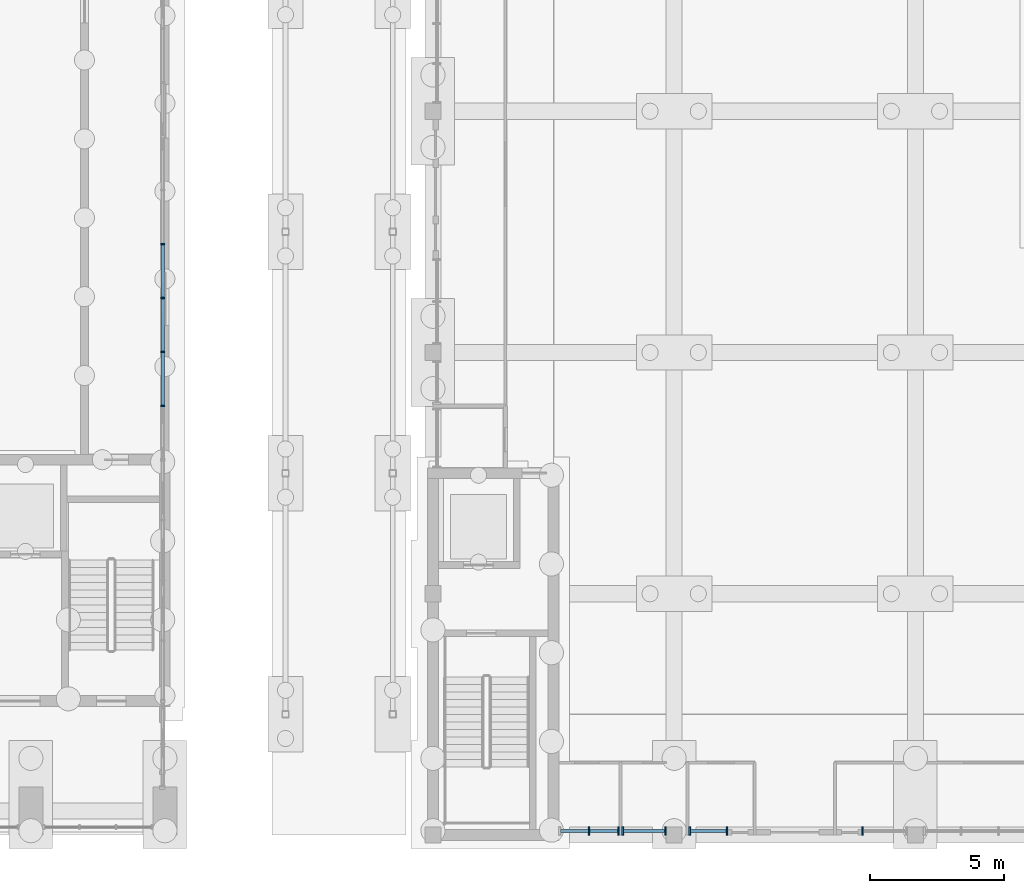
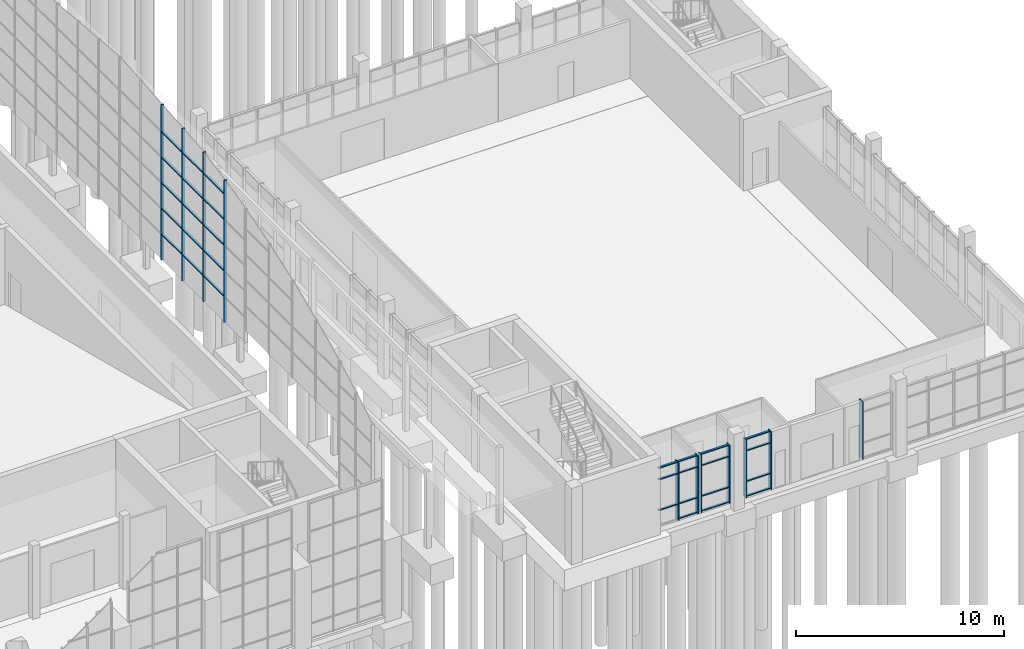
# One storey, part 29 of 106: 41 members, 5 elements without a shape of their own.
"""IFC4 building model written with IfcOpenShell, lengths in metres."""

from ifc_helpers import new_model, si_unit, direction, frame, origin, origin_2d, place, context, subcontext, project, spatial, rectangle, extrude, material, material_profile, profile_set, type_object, element, aggregate, save


model = new_model("IFC4")

# Units and contexts
model_context = context("Model", 3, precision=1e-05, world=origin(), true_north=direction((0.0, 1.0)))
body_context = subcontext(model_context, "Body", "Model", "MODEL_VIEW")
ifc_project = project(units=[si_unit("LENGTHUNIT", "METRE"), si_unit("AREAUNIT", "SQUARE_METRE"), si_unit("VOLUMEUNIT", "CUBIC_METRE"), si_unit("PLANEANGLEUNIT", "RADIAN"), si_unit("MASSUNIT", "GRAM", prefix="KILO")], contexts=[model_context])

# Site, building, storey
site_placement = place(None, origin())
site = spatial("IfcSite", under=ifc_project, at=site_placement, CompositionType="ELEMENT")
building_placement = place(site_placement, origin())
building = spatial("IfcBuilding", under=site, at=building_placement, Name="Merrow Basin Faculty of Sciences", CompositionType="ELEMENT")
storey_placement = place(building_placement, origin())
storey = spatial("IfcBuildingStorey", under=building, at=storey_placement, Name="L00", CompositionType="ELEMENT", Elevation=0.0)

# Curtain wall, members
ifc_material_1 = material(Name="Aluminium alloy 6063", Category="aluminium")
curtain_wall_type_1 = type_object("IfcCurtainWallType", Name="Arched curtain wall 160", PredefinedType="NOTDEFINED", material=ifc_material_1)
curtain_wall_1_placement = place(storey_placement, origin())
curtain_wall_1 = element("IfcCurtainWall", 1, at=curtain_wall_1_placement, inside=storey, type_object=curtain_wall_type_1, Name="East gable glazing C", PredefinedType="NOTDEFINED")
ifc_material_2 = material(Name="Aluminium alloy 6063", Category="aluminium")
ifc_material_profile_1 = material_profile(ifc_material_2, rectangle(XDim=0.159912109375, YDim=0.06005859375, at=origin_2d()))
ifc_profile_set_1 = profile_set([ifc_material_profile_1], Name="Aluminium alloy 6063")
member_type_1 = type_object("IfcMemberType", Name="Aluminium gable mullion 60x160", PredefinedType="MULLION", material=ifc_profile_set_1)
member_1_placement = place(storey_placement, frame((34.919921875, 16.010986328125, 7.5), z_axis=(0.0, 0.0, 1.0), x_axis=(1.0, 0.0, 0.0)))
member_1 = element("IfcMember", 2, at=member_1_placement, type_object=member_type_1, Name="CW4 mullion 2", PredefinedType="MULLION", context=body_context, shape_type="SweptSolid", body=[
    extrude(rectangle(XDim=0.159912109375, YDim=0.06005859375, at=origin_2d()), origin(), (0.0, 0.0, 1.0), 8.33203125),
])
member_2_placement = place(storey_placement, frame((34.919921875, 18.02197265625, 7.5), z_axis=(0.0, 0.0, 1.0), x_axis=(1.0, 0.0, 0.0)))
member_2 = element("IfcMember", 3, at=member_2_placement, type_object=member_type_1, Name="CW4 mullion 3", PredefinedType="MULLION", context=body_context, shape_type="SweptSolid", body=[
    extrude(rectangle(XDim=0.159912109375, YDim=0.06005859375, at=origin_2d()), origin(), (0.0, 0.0, 1.0), 8.7529296875),
])
member_3_placement = place(storey_placement, frame((34.919921875, 20.032958984375, 7.5), z_axis=(0.0, 0.0, 1.0), x_axis=(1.0, 0.0, 0.0)))
member_3 = element("IfcMember", 4, at=member_3_placement, type_object=member_type_1, Name="CW4 mullion 4", PredefinedType="MULLION", context=body_context, shape_type="SweptSolid", body=[
    extrude(rectangle(XDim=0.159912109375, YDim=0.06005859375, at=origin_2d()), origin(), (0.0, 0.0, 1.0), 8.927001953125),
])
member_4_placement = place(storey_placement, frame((34.919921875, 22.0439453125, 7.5), z_axis=(0.0, 0.0, 1.0), x_axis=(1.0, 0.0, 0.0)))
member_4 = element("IfcMember", 5, at=member_4_placement, type_object=member_type_1, Name="CW4 mullion 5", PredefinedType="MULLION", context=body_context, shape_type="SweptSolid", body=[
    extrude(rectangle(XDim=0.159912109375, YDim=0.06005859375, at=origin_2d()), origin(), (0.0, 0.0, 1.0), 9.10205078125),
])
ifc_material_3 = material(Name="Aluminium alloy 6063", Category="aluminium")
ifc_material_profile_2 = material_profile(ifc_material_3, rectangle(XDim=0.1201171875, YDim=0.06005859375, at=origin_2d()))
ifc_profile_set_2 = profile_set([ifc_material_profile_2], Name="Aluminium alloy 6063")
member_type_2 = type_object("IfcMemberType", Name="Aluminium gable transom 60x120", PredefinedType="USERDEFINED", material=ifc_profile_set_2)
member_5_placement = place(storey_placement, frame((34.919921875, 16.041015625, 9.0), z_axis=(0.0, 1.0, 0.0), x_axis=(-1.0, 0.0, 0.0)))
member_5 = element("IfcMember", 6, at=member_5_placement, type_object=member_type_2, Name="CW4 transom 2.1", ObjectType="TRANSOM", PredefinedType="USERDEFINED", context=body_context, shape_type="SweptSolid", body=[
    extrude(rectangle(XDim=0.1201171875, YDim=0.06005859375, at=origin_2d()), origin(), (0.0, 0.0, 1.0), 1.950927734375),
])
member_6_placement = place(storey_placement, frame((34.919921875, 16.041015625, 10.5), z_axis=(0.0, 1.0, 0.0), x_axis=(-1.0, 0.0, 0.0)))
member_6 = element("IfcMember", 7, at=member_6_placement, type_object=member_type_2, Name="CW4 transom 2.2", ObjectType="TRANSOM", PredefinedType="USERDEFINED", context=body_context, shape_type="SweptSolid", body=[
    extrude(rectangle(XDim=0.1201171875, YDim=0.06005859375, at=origin_2d()), origin(), (0.0, 0.0, 1.0), 1.950927734375),
])
member_7_placement = place(storey_placement, frame((34.919921875, 16.041015625, 12.0), z_axis=(0.0, 1.0, 0.0), x_axis=(-1.0, 0.0, 0.0)))
member_7 = element("IfcMember", 8, at=member_7_placement, type_object=member_type_2, Name="CW4 transom 2.3", ObjectType="TRANSOM", PredefinedType="USERDEFINED", context=body_context, shape_type="SweptSolid", body=[
    extrude(rectangle(XDim=0.1201171875, YDim=0.06005859375, at=origin_2d()), origin(), (0.0, 0.0, 1.0), 1.950927734375),
])
member_8_placement = place(storey_placement, frame((34.919921875, 16.041015625, 13.5), z_axis=(0.0, 1.0, 0.0), x_axis=(-1.0, 0.0, 0.0)))
member_8 = element("IfcMember", 9, at=member_8_placement, type_object=member_type_2, Name="CW4 transom 2.4", ObjectType="TRANSOM", PredefinedType="USERDEFINED", context=body_context, shape_type="SweptSolid", body=[
    extrude(rectangle(XDim=0.1201171875, YDim=0.06005859375, at=origin_2d()), origin(), (0.0, 0.0, 1.0), 1.950927734375),
])
member_9_placement = place(storey_placement, frame((34.919921875, 16.041015625, 15.0), z_axis=(0.0, 1.0, 0.0), x_axis=(-1.0, 0.0, 0.0)))
member_9 = element("IfcMember", 10, at=member_9_placement, type_object=member_type_2, Name="CW4 transom 2.5", ObjectType="TRANSOM", PredefinedType="USERDEFINED", context=body_context, shape_type="SweptSolid", body=[
    extrude(rectangle(XDim=0.1201171875, YDim=0.06005859375, at=origin_2d()), origin(), (0.0, 0.0, 1.0), 1.950927734375),
])
member_10_placement = place(storey_placement, frame((34.919921875, 18.052001953125, 9.0), z_axis=(0.0, 1.0, 0.0), x_axis=(-1.0, 0.0, 0.0)))
member_10 = element("IfcMember", 11, at=member_10_placement, type_object=member_type_2, Name="CW4 transom 3.1", ObjectType="TRANSOM", PredefinedType="USERDEFINED", context=body_context, shape_type="SweptSolid", body=[
    extrude(rectangle(XDim=0.1201171875, YDim=0.06005859375, at=origin_2d()), origin(), (0.0, 0.0, 1.0), 1.950927734375),
])
member_11_placement = place(storey_placement, frame((34.919921875, 18.052001953125, 10.5), z_axis=(0.0, 1.0, 0.0), x_axis=(-1.0, 0.0, 0.0)))
member_11 = element("IfcMember", 12, at=member_11_placement, type_object=member_type_2, Name="CW4 transom 3.2", ObjectType="TRANSOM", PredefinedType="USERDEFINED", context=body_context, shape_type="SweptSolid", body=[
    extrude(rectangle(XDim=0.1201171875, YDim=0.06005859375, at=origin_2d()), origin(), (0.0, 0.0, 1.0), 1.950927734375),
])
member_12_placement = place(storey_placement, frame((34.919921875, 18.052001953125, 12.0), z_axis=(0.0, 1.0, 0.0), x_axis=(-1.0, 0.0, 0.0)))
member_12 = element("IfcMember", 13, at=member_12_placement, type_object=member_type_2, Name="CW4 transom 3.3", ObjectType="TRANSOM", PredefinedType="USERDEFINED", context=body_context, shape_type="SweptSolid", body=[
    extrude(rectangle(XDim=0.1201171875, YDim=0.06005859375, at=origin_2d()), origin(), (0.0, 0.0, 1.0), 1.950927734375),
])
member_13_placement = place(storey_placement, frame((34.919921875, 18.052001953125, 13.5), z_axis=(0.0, 1.0, 0.0), x_axis=(-1.0, 0.0, 0.0)))
member_13 = element("IfcMember", 14, at=member_13_placement, type_object=member_type_2, Name="CW4 transom 3.4", ObjectType="TRANSOM", PredefinedType="USERDEFINED", context=body_context, shape_type="SweptSolid", body=[
    extrude(rectangle(XDim=0.1201171875, YDim=0.06005859375, at=origin_2d()), origin(), (0.0, 0.0, 1.0), 1.950927734375),
])
member_14_placement = place(storey_placement, frame((34.919921875, 18.052001953125, 15.0), z_axis=(0.0, 1.0, 0.0), x_axis=(-1.0, 0.0, 0.0)))
member_14 = element("IfcMember", 15, at=member_14_placement, type_object=member_type_2, Name="CW4 transom 3.5", ObjectType="TRANSOM", PredefinedType="USERDEFINED", context=body_context, shape_type="SweptSolid", body=[
    extrude(rectangle(XDim=0.1201171875, YDim=0.06005859375, at=origin_2d()), origin(), (0.0, 0.0, 1.0), 1.950927734375),
])
member_15_placement = place(storey_placement, frame((34.919921875, 20.06298828125, 9.0), z_axis=(0.0, 1.0, 0.0), x_axis=(-1.0, 0.0, 0.0)))
member_15 = element("IfcMember", 16, at=member_15_placement, type_object=member_type_2, Name="CW4 transom 4.1", ObjectType="TRANSOM", PredefinedType="USERDEFINED", context=body_context, shape_type="SweptSolid", body=[
    extrude(rectangle(XDim=0.1201171875, YDim=0.06005859375, at=origin_2d()), origin(), (0.0, 0.0, 1.0), 1.950927734375),
])
member_16_placement = place(storey_placement, frame((34.919921875, 20.06298828125, 10.5), z_axis=(0.0, 1.0, 0.0), x_axis=(-1.0, 0.0, 0.0)))
member_16 = element("IfcMember", 17, at=member_16_placement, type_object=member_type_2, Name="CW4 transom 4.2", ObjectType="TRANSOM", PredefinedType="USERDEFINED", context=body_context, shape_type="SweptSolid", body=[
    extrude(rectangle(XDim=0.1201171875, YDim=0.06005859375, at=origin_2d()), origin(), (0.0, 0.0, 1.0), 1.950927734375),
])
member_17_placement = place(storey_placement, frame((34.919921875, 20.06298828125, 12.0), z_axis=(0.0, 1.0, 0.0), x_axis=(-1.0, 0.0, 0.0)))
member_17 = element("IfcMember", 18, at=member_17_placement, type_object=member_type_2, Name="CW4 transom 4.3", ObjectType="TRANSOM", PredefinedType="USERDEFINED", context=body_context, shape_type="SweptSolid", body=[
    extrude(rectangle(XDim=0.1201171875, YDim=0.06005859375, at=origin_2d()), origin(), (0.0, 0.0, 1.0), 1.950927734375),
])
member_18_placement = place(storey_placement, frame((34.919921875, 20.06298828125, 13.5), z_axis=(0.0, 1.0, 0.0), x_axis=(-1.0, 0.0, 0.0)))
member_18 = element("IfcMember", 19, at=member_18_placement, type_object=member_type_2, Name="CW4 transom 4.4", ObjectType="TRANSOM", PredefinedType="USERDEFINED", context=body_context, shape_type="SweptSolid", body=[
    extrude(rectangle(XDim=0.1201171875, YDim=0.06005859375, at=origin_2d()), origin(), (0.0, 0.0, 1.0), 1.950927734375),
])
member_19_placement = place(storey_placement, frame((34.919921875, 20.06298828125, 15.0), z_axis=(0.0, 1.0, 0.0), x_axis=(-1.0, 0.0, 0.0)))
member_19 = element("IfcMember", 20, at=member_19_placement, type_object=member_type_2, Name="CW4 transom 4.5", ObjectType="TRANSOM", PredefinedType="USERDEFINED", context=body_context, shape_type="SweptSolid", body=[
    extrude(rectangle(XDim=0.1201171875, YDim=0.06005859375, at=origin_2d()), origin(), (0.0, 0.0, 1.0), 1.950927734375),
])
aggregate(curtain_wall_1, [member_1, member_2, member_3, member_4, member_5, member_6, member_7, member_8, member_9, member_10, member_11, member_12, member_13, member_14, member_15, member_16, member_17, member_18, member_19])

ifc_material_4 = material(Name="Aluminium alloy 6063", Category="aluminium")
curtain_wall_type_2 = type_object("IfcCurtainWallType", Name="Atrium concourse curtain wall 300", PredefinedType="NOTDEFINED", material=ifc_material_4)
curtain_wall_2_placement = place(storey_placement, origin())
curtain_wall_2 = element("IfcCurtainWall", 21, at=curtain_wall_2_placement, inside=storey, type_object=curtain_wall_type_2, Name="S curtain wall L00 1", PredefinedType="NOTDEFINED")
ifc_material_5 = material(Name="Aluminium alloy 6063", Category="aluminium")
ifc_material_profile_3 = material_profile(ifc_material_5, rectangle(XDim=0.300048828125, YDim=0.06005859375, at=origin_2d()))
ifc_profile_set_3 = profile_set([ifc_material_profile_3], Name="Aluminium alloy 6063")
member_type_3 = type_object("IfcMemberType", Name="Aluminium mullion 60x300", PredefinedType="MULLION", material=ifc_profile_set_3)
member_20_placement = place(storey_placement, frame((50.824951171875, 0.14990234375, 0.0), z_axis=(0.0, 0.0, 1.0), x_axis=(0.0, 1.0, 0.0)))
member_20 = element("IfcMember", 22, at=member_20_placement, type_object=member_type_3, Name="CW6 mullion 2", PredefinedType="MULLION", context=body_context, shape_type="SweptSolid", body=[
    extrude(rectangle(XDim=0.300048828125, YDim=0.06005859375, at=origin_2d()), origin(), (0.0, 0.0, 1.0), 3.39990234375),
])
member_21_placement = place(storey_placement, frame((51.919921875, 0.14990234375, 0.0), z_axis=(0.0, 0.0, 1.0), x_axis=(0.0, 1.0, 0.0)))
member_21 = element("IfcMember", 23, at=member_21_placement, type_object=member_type_3, Name="CW6 mullion 3", PredefinedType="MULLION", context=body_context, shape_type="SweptSolid", body=[
    extrude(rectangle(XDim=0.300048828125, YDim=0.06005859375, at=origin_2d()), origin(), (0.0, 0.0, 1.0), 3.39990234375),
])

curtain_wall_3_placement = place(storey_placement, origin())
curtain_wall_3 = element("IfcCurtainWall", 24, at=curtain_wall_3_placement, inside=storey, type_object=curtain_wall_type_2, Name="S curtain wall L00 2", PredefinedType="NOTDEFINED")
member_22_placement = place(storey_placement, frame((52.080078125, 0.14990234375, 0.0), z_axis=(0.0, 0.0, 1.0), x_axis=(0.0, 1.0, 0.0)))
member_22 = element("IfcMember", 25, at=member_22_placement, type_object=member_type_3, Name="CW6 mullion 1", PredefinedType="MULLION", context=body_context, shape_type="SweptSolid", body=[
    extrude(rectangle(XDim=0.300048828125, YDim=0.06005859375, at=origin_2d()), origin(), (0.0, 0.0, 1.0), 3.39990234375),
])
member_23_placement = place(storey_placement, frame((53.669921875, 0.14990234375, 0.0), z_axis=(0.0, 0.0, 1.0), x_axis=(0.0, 1.0, 0.0)))
member_23 = element("IfcMember", 26, at=member_23_placement, type_object=member_type_3, Name="CW6 mullion 2", PredefinedType="MULLION", context=body_context, shape_type="SweptSolid", body=[
    extrude(rectangle(XDim=0.300048828125, YDim=0.06005859375, at=origin_2d()), origin(), (0.0, 0.0, 1.0), 3.39990234375),
])

curtain_wall_4_placement = place(storey_placement, origin())
curtain_wall_4 = element("IfcCurtainWall", 27, at=curtain_wall_4_placement, inside=storey, type_object=curtain_wall_type_2, Name="S curtain wall L00 3", PredefinedType="NOTDEFINED")
member_24_placement = place(storey_placement, frame((54.580078125, 0.14990234375, 0.0), z_axis=(0.0, 0.0, 1.0), x_axis=(0.0, 1.0, 0.0)))
member_24 = element("IfcMember", 28, at=member_24_placement, type_object=member_type_3, Name="CW6 mullion 1", PredefinedType="MULLION", context=body_context, shape_type="SweptSolid", body=[
    extrude(rectangle(XDim=0.300048828125, YDim=0.06005859375, at=origin_2d()), origin(), (0.0, 0.0, 1.0), 3.39990234375),
])
member_25_placement = place(storey_placement, frame((55.969970703125, 0.14990234375, 0.0), z_axis=(0.0, 0.0, 1.0), x_axis=(0.0, 1.0, 0.0)))
member_25 = element("IfcMember", 29, at=member_25_placement, type_object=member_type_3, Name="CW6 mullion 2", PredefinedType="MULLION", context=body_context, shape_type="SweptSolid", body=[
    extrude(rectangle(XDim=0.300048828125, YDim=0.06005859375, at=origin_2d()), origin(), (0.0, 0.0, 1.0), 3.39990234375),
])

# Curtain wall, member
curtain_wall_5_placement = place(storey_placement, origin())
curtain_wall_5 = element("IfcCurtainWall", 30, at=curtain_wall_5_placement, inside=storey, type_object=curtain_wall_type_2, Name="S curtain wall L00 4", PredefinedType="NOTDEFINED")
member_26_placement = place(storey_placement, frame((61.030029296875, 0.14990234375, 0.0), z_axis=(0.0, 0.0, 1.0), x_axis=(0.0, 1.0, 0.0)))
member_26 = element("IfcMember", 31, at=member_26_placement, type_object=member_type_3, Name="CW6 mullion 1", PredefinedType="MULLION", context=body_context, shape_type="SweptSolid", body=[
    extrude(rectangle(XDim=0.300048828125, YDim=0.06005859375, at=origin_2d()), origin(), (0.0, 0.0, 1.0), 3.39990234375),
])
aggregate(curtain_wall_5, [member_26])

# Member
ifc_material_6 = material(Name="Aluminium alloy 6063", Category="aluminium")
ifc_material_profile_4 = material_profile(ifc_material_6, rectangle(XDim=0.1201171875, YDim=0.06005859375, at=origin_2d()))
ifc_profile_set_4 = profile_set([ifc_material_profile_4], Name="Aluminium alloy 6063")
member_type_4 = type_object("IfcMemberType", Name="Aluminium transom 60x120", PredefinedType="USERDEFINED", material=ifc_profile_set_4)
member_27_placement = place(storey_placement, frame((49.760009765625, 0.14990234375, 0.89990234375), z_axis=(1.0, 0.0, 0.0), x_axis=(0.0, 1.0, 0.0)))
member_27 = element("IfcMember", 32, at=member_27_placement, type_object=member_type_4, Name="CW6 transom 1.2", ObjectType="TRANSOM", PredefinedType="USERDEFINED", context=body_context, shape_type="SweptSolid", body=[
    extrude(rectangle(XDim=0.1201171875, YDim=0.06005859375, at=origin_2d()), origin(), (0.0, 0.0, 1.0), 1.034912109375),
])

member_28_placement = place(storey_placement, frame((49.760009765625, 0.14990234375, 2.699951171875), z_axis=(1.0, 0.0, 0.0), x_axis=(0.0, 1.0, 0.0)))
member_28 = element("IfcMember", 33, at=member_28_placement, type_object=member_type_4, Name="CW6 transom 1.3", ObjectType="TRANSOM", PredefinedType="USERDEFINED", context=body_context, shape_type="SweptSolid", body=[
    extrude(rectangle(XDim=0.1201171875, YDim=0.06005859375, at=origin_2d()), origin(), (0.0, 0.0, 1.0), 1.034912109375),
])

member_29_placement = place(storey_placement, frame((49.760009765625, 0.14990234375, 3.3701171875), z_axis=(1.0, 0.0, 0.0), x_axis=(0.0, 1.0, 0.0)))
member_29 = element("IfcMember", 34, at=member_29_placement, type_object=member_type_4, Name="CW6 transom 1.4", ObjectType="TRANSOM", PredefinedType="USERDEFINED", context=body_context, shape_type="SweptSolid", body=[
    extrude(rectangle(XDim=0.1201171875, YDim=0.06005859375, at=origin_2d()), origin(), (0.0, 0.0, 1.0), 1.034912109375),
])

member_30_placement = place(storey_placement, frame((50.85498046875, 0.14990234375, 0.030029296875), z_axis=(1.0, 0.0, 0.0), x_axis=(0.0, 1.0, 0.0)))
member_30 = element("IfcMember", 35, at=member_30_placement, type_object=member_type_4, Name="CW6 transom 2.1", ObjectType="TRANSOM", PredefinedType="USERDEFINED", context=body_context, shape_type="SweptSolid", body=[
    extrude(rectangle(XDim=0.1201171875, YDim=0.06005859375, at=origin_2d()), origin(), (0.0, 0.0, 1.0), 1.034912109375),
])

member_31_placement = place(storey_placement, frame((50.85498046875, 0.14990234375, 0.89990234375), z_axis=(1.0, 0.0, 0.0), x_axis=(0.0, 1.0, 0.0)))
member_31 = element("IfcMember", 36, at=member_31_placement, type_object=member_type_4, Name="CW6 transom 2.2", ObjectType="TRANSOM", PredefinedType="USERDEFINED", context=body_context, shape_type="SweptSolid", body=[
    extrude(rectangle(XDim=0.1201171875, YDim=0.06005859375, at=origin_2d()), origin(), (0.0, 0.0, 1.0), 1.034912109375),
])

member_32_placement = place(storey_placement, frame((50.85498046875, 0.14990234375, 2.699951171875), z_axis=(1.0, 0.0, 0.0), x_axis=(0.0, 1.0, 0.0)))
member_32 = element("IfcMember", 37, at=member_32_placement, type_object=member_type_4, Name="CW6 transom 2.3", ObjectType="TRANSOM", PredefinedType="USERDEFINED", context=body_context, shape_type="SweptSolid", body=[
    extrude(rectangle(XDim=0.1201171875, YDim=0.06005859375, at=origin_2d()), origin(), (0.0, 0.0, 1.0), 1.034912109375),
])

member_33_placement = place(storey_placement, frame((50.85498046875, 0.14990234375, 3.3701171875), z_axis=(1.0, 0.0, 0.0), x_axis=(0.0, 1.0, 0.0)))
member_33 = element("IfcMember", 38, at=member_33_placement, type_object=member_type_4, Name="CW6 transom 2.4", ObjectType="TRANSOM", PredefinedType="USERDEFINED", context=body_context, shape_type="SweptSolid", body=[
    extrude(rectangle(XDim=0.1201171875, YDim=0.06005859375, at=origin_2d()), origin(), (0.0, 0.0, 1.0), 1.034912109375),
])

aggregate(curtain_wall_2, [member_20, member_21, member_27, member_28, member_29, member_30, member_31, member_32, member_33])

member_34_placement = place(storey_placement, frame((52.110107421875, 0.14990234375, 0.030029296875), z_axis=(1.0, 0.0, 0.0), x_axis=(0.0, 1.0, 0.0)))
member_34 = element("IfcMember", 39, at=member_34_placement, type_object=member_type_4, Name="CW6 transom 1.1", ObjectType="TRANSOM", PredefinedType="USERDEFINED", context=body_context, shape_type="SweptSolid", body=[
    extrude(rectangle(XDim=0.1201171875, YDim=0.06005859375, at=origin_2d()), origin(), (0.0, 0.0, 1.0), 1.52978515625),
])

member_35_placement = place(storey_placement, frame((52.110107421875, 0.14990234375, 0.89990234375), z_axis=(1.0, 0.0, 0.0), x_axis=(0.0, 1.0, 0.0)))
member_35 = element("IfcMember", 40, at=member_35_placement, type_object=member_type_4, Name="CW6 transom 1.2", ObjectType="TRANSOM", PredefinedType="USERDEFINED", context=body_context, shape_type="SweptSolid", body=[
    extrude(rectangle(XDim=0.1201171875, YDim=0.06005859375, at=origin_2d()), origin(), (0.0, 0.0, 1.0), 1.52978515625),
])

member_36_placement = place(storey_placement, frame((52.110107421875, 0.14990234375, 2.699951171875), z_axis=(1.0, 0.0, 0.0), x_axis=(0.0, 1.0, 0.0)))
member_36 = element("IfcMember", 41, at=member_36_placement, type_object=member_type_4, Name="CW6 transom 1.3", ObjectType="TRANSOM", PredefinedType="USERDEFINED", context=body_context, shape_type="SweptSolid", body=[
    extrude(rectangle(XDim=0.1201171875, YDim=0.06005859375, at=origin_2d()), origin(), (0.0, 0.0, 1.0), 1.52978515625),
])

member_37_placement = place(storey_placement, frame((52.110107421875, 0.14990234375, 3.3701171875), z_axis=(1.0, 0.0, 0.0), x_axis=(0.0, 1.0, 0.0)))
member_37 = element("IfcMember", 42, at=member_37_placement, type_object=member_type_4, Name="CW6 transom 1.4", ObjectType="TRANSOM", PredefinedType="USERDEFINED", context=body_context, shape_type="SweptSolid", body=[
    extrude(rectangle(XDim=0.1201171875, YDim=0.06005859375, at=origin_2d()), origin(), (0.0, 0.0, 1.0), 1.52978515625),
])

aggregate(curtain_wall_3, [member_22, member_23, member_34, member_35, member_36, member_37])

member_38_placement = place(storey_placement, frame((54.610107421875, 0.14990234375, 0.030029296875), z_axis=(1.0, 0.0, 0.0), x_axis=(0.0, 1.0, 0.0)))
member_38 = element("IfcMember", 43, at=member_38_placement, type_object=member_type_4, Name="CW6 transom 1.1", ObjectType="TRANSOM", PredefinedType="USERDEFINED", context=body_context, shape_type="SweptSolid", body=[
    extrude(rectangle(XDim=0.1201171875, YDim=0.06005859375, at=origin_2d()), origin(), (0.0, 0.0, 1.0), 1.329833984375),
])

member_39_placement = place(storey_placement, frame((54.610107421875, 0.14990234375, 0.89990234375), z_axis=(1.0, 0.0, 0.0), x_axis=(0.0, 1.0, 0.0)))
member_39 = element("IfcMember", 44, at=member_39_placement, type_object=member_type_4, Name="CW6 transom 1.2", ObjectType="TRANSOM", PredefinedType="USERDEFINED", context=body_context, shape_type="SweptSolid", body=[
    extrude(rectangle(XDim=0.1201171875, YDim=0.06005859375, at=origin_2d()), origin(), (0.0, 0.0, 1.0), 1.329833984375),
])

member_40_placement = place(storey_placement, frame((54.610107421875, 0.14990234375, 2.699951171875), z_axis=(1.0, 0.0, 0.0), x_axis=(0.0, 1.0, 0.0)))
member_40 = element("IfcMember", 45, at=member_40_placement, type_object=member_type_4, Name="CW6 transom 1.3", ObjectType="TRANSOM", PredefinedType="USERDEFINED", context=body_context, shape_type="SweptSolid", body=[
    extrude(rectangle(XDim=0.1201171875, YDim=0.06005859375, at=origin_2d()), origin(), (0.0, 0.0, 1.0), 1.329833984375),
])

member_41_placement = place(storey_placement, frame((54.610107421875, 0.14990234375, 3.3701171875), z_axis=(1.0, 0.0, 0.0), x_axis=(0.0, 1.0, 0.0)))
member_41 = element("IfcMember", 46, at=member_41_placement, type_object=member_type_4, Name="CW6 transom 1.4", ObjectType="TRANSOM", PredefinedType="USERDEFINED", context=body_context, shape_type="SweptSolid", body=[
    extrude(rectangle(XDim=0.1201171875, YDim=0.06005859375, at=origin_2d()), origin(), (0.0, 0.0, 1.0), 1.329833984375),
])

aggregate(curtain_wall_4, [member_24, member_25, member_38, member_39, member_40, member_41])

save(model, "model.ifc")
